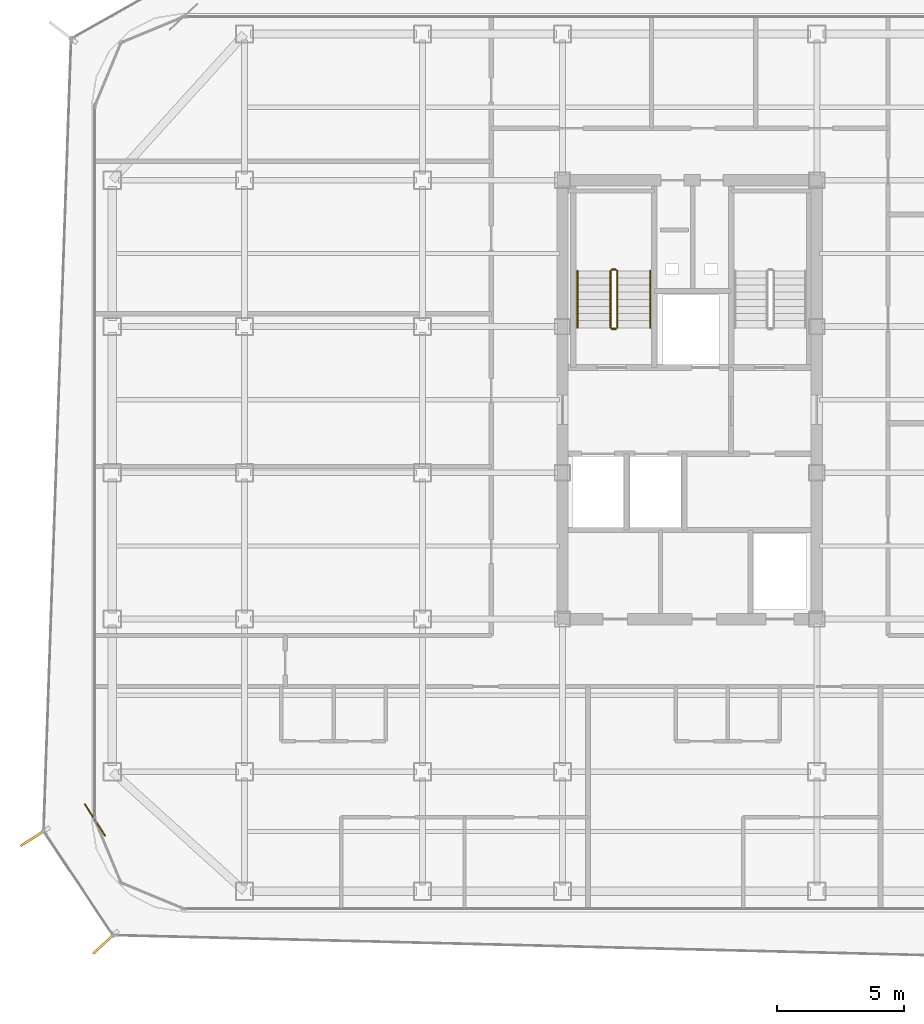
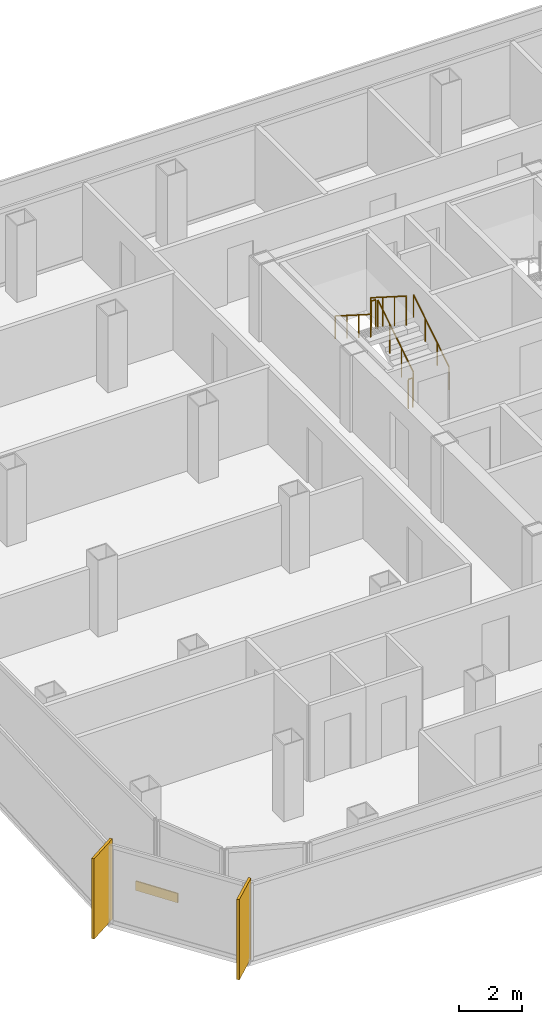
# One storey, part 13 of 15: 6 railings, 2 shading devices, 1 covering.
"""IFC4 building model written with IfcOpenShell, lengths in metres."""

from ifc_helpers import new_model, si_unit, direction, frame, origin, origin_2d, place, context, subcontext, project, spatial, rectangle, circle, extrude, source, transform, mapped, material, layer, layer_set, type_object, element, save


model = new_model("IFC4")

# Units and contexts
model_context = context("Model", 3, precision=1e-05, world=origin(), true_north=direction((0.0, 1.0)))
body_context = subcontext(model_context, "Body", "Model", "MODEL_VIEW")
ifc_project = project(units=[si_unit("LENGTHUNIT", "METRE"), si_unit("AREAUNIT", "SQUARE_METRE"), si_unit("VOLUMEUNIT", "CUBIC_METRE"), si_unit("PLANEANGLEUNIT", "RADIAN"), si_unit("MASSUNIT", "GRAM", prefix="KILO")], contexts=[model_context])

# Site, building, storey
site_placement = place(None, origin())
site = spatial("IfcSite", under=ifc_project, at=site_placement, CompositionType="ELEMENT")
building_placement = place(site_placement, origin())
building = spatial("IfcBuilding", under=site, at=building_placement, Name="Kolveth Station Tower", CompositionType="ELEMENT")
storey_placement = place(building_placement, frame((0.0, 0.0, 199.60009765625)))
storey = spatial("IfcBuildingStorey", under=building, at=storey_placement, Name="L56", CompositionType="ELEMENT", Elevation=199.60009765625)

# Railings
ifc_material_1 = material(Name="Painted Steel S355 balustrade", Category="steel")
railing_type_1 = type_object("IfcRailingType", Name="Guard_GR2", PredefinedType="BALUSTRADE", material=ifc_material_1)
railing_1_placement = place(storey_placement, frame((20.64990234375, 22.949951171875, 0.177734375)))
element("IfcRailing", 1, at=railing_1_placement, inside=storey, type_object=railing_type_1, Name="L56 ST1 stair guard 1", PredefinedType="BALUSTRADE", context=body_context, shape_type="SweptSolid", body=[
    extrude(circle(Radius=0.02392578125, at=origin_2d()), frame((0.0, 0.0, 1.1259765625), z_axis=(0.0, 0.8442293374, 0.53598211339), x_axis=(-1.0, 0.0, 0.0)), (0.0, 0.0, 1.0), 2.6533203125),
    extrude(circle(Radius=0.02099609375, at=origin_2d()), origin(), (0.0, 0.0, 1.0), 1.101806640625),
    extrude(circle(Radius=0.02099609375, at=origin_2d()), frame((0.0, 0.74658203125, 0.47412109375)), (0.0, 0.0, 1.0), 1.101806640625),
    extrude(circle(Radius=0.02099609375, at=origin_2d()), frame((0.0, 1.493408203125, 0.947998046875)), (0.0, 0.0, 1.0), 1.101806640625),
    extrude(circle(Radius=0.02099609375, at=origin_2d()), frame((0.0, 2.239990234375, 1.422119140625)), (0.0, 0.0, 1.0), 1.101806640625),
])
railing_2_placement = place(storey_placement, frame((20.60009765625, 25.239990234375, 1.599853515625)))
element("IfcRailing", 2, at=railing_2_placement, inside=storey, type_object=railing_type_1, Name="L56 ST1 stair guard 2", PredefinedType="BALUSTRADE", context=body_context, shape_type="SweptSolid", body=[
    extrude(circle(Radius=0.02392578125, at=origin_2d()), frame((0.0, 0.0, 1.1259765625), z_axis=(-1.0, 0.0, 0.0), x_axis=(0.0, -1.0, 0.0)), (0.0, 0.0, 1.0), 0.16015625),
    extrude(circle(Radius=0.02099609375, at=origin_2d()), origin(), (0.0, 0.0, 1.0), 1.101806640625),
    extrude(circle(Radius=0.02099609375, at=origin_2d()), frame((-0.16015625, 0.0, 0.0)), (0.0, 0.0, 1.0), 1.101806640625),
])
railing_3_placement = place(storey_placement, frame((20.389892578125, 25.18994140625, 1.777587890625)))
element("IfcRailing", 3, at=railing_3_placement, inside=storey, type_object=railing_type_1, Name="L56 ST1 stair guard 3", PredefinedType="BALUSTRADE", context=body_context, shape_type="SweptSolid", body=[
    extrude(circle(Radius=0.02392578125, at=origin_2d()), frame((0.0, 0.0, 1.1259765625), z_axis=(0.0, -0.84418770128, 0.536047689118), x_axis=(1.0, 0.0, 0.0)), (0.0, 0.0, 1.0), 2.6533203125),
    extrude(circle(Radius=0.02099609375, at=origin_2d()), origin(), (0.0, 0.0, 1.0), 1.101806640625),
    extrude(circle(Radius=0.02099609375, at=origin_2d()), frame((0.0, -0.74658203125, 0.47412109375)), (0.0, 0.0, 1.0), 1.101806640625),
    extrude(circle(Radius=0.02099609375, at=origin_2d()), frame((0.0, -1.493408203125, 0.9482421875)), (0.0, 0.0, 1.0), 1.101806640625),
    extrude(circle(Radius=0.02099609375, at=origin_2d()), frame((0.0, -2.239990234375, 1.42236328125)), (0.0, 0.0, 1.0), 1.101806640625),
])
railing_4_placement = place(storey_placement, frame((20.60009765625, 22.89990234375, 0.0)))
element("IfcRailing", 4, at=railing_4_placement, inside=storey, type_object=railing_type_1, Name="L56 ST1 stair guard 4", PredefinedType="BALUSTRADE", context=body_context, shape_type="SweptSolid", body=[
    extrude(circle(Radius=0.02392578125, at=origin_2d()), frame((0.0, 0.0, 1.1259765625), z_axis=(-1.0, 0.0, 0.0), x_axis=(0.0, -1.0, 0.0)), (0.0, 0.0, 1.0), 0.16015625),
    extrude(circle(Radius=0.02099609375, at=origin_2d()), origin(), (0.0, 0.0, 1.0), 1.101806640625),
    extrude(circle(Radius=0.02099609375, at=origin_2d()), frame((-0.16015625, 0.0, 0.0)), (0.0, 0.0, 1.0), 1.101806640625),
])
ifc_material_2 = material(Name="Brushed stainless steel", Category="steel")
railing_type_2 = type_object("IfcRailingType", Name="Handrail_HR1", PredefinedType="HANDRAIL", material=ifc_material_2)
railing_5_placement = place(storey_placement, frame((21.949951171875, 22.949951171875, 0.177734375)))
element("IfcRailing", 5, at=railing_5_placement, inside=storey, type_object=railing_type_2, Name="L56 ST1 stair handrail 1", PredefinedType="HANDRAIL", context=body_context, shape_type="SweptSolid", body=[
    extrude(circle(Radius=0.02392578125, at=origin_2d()), frame((0.0, 0.0, 0.8759765625), z_axis=(0.0, 0.8442293374, 0.53598211339), x_axis=(-1.0, 0.0, 0.0)), (0.0, 0.0, 1.0), 2.6533203125),
    extrude(circle(Radius=0.02099609375, at=origin_2d()), origin(), (0.0, 0.0, 1.0), 0.851806640625),
    extrude(circle(Radius=0.02099609375, at=origin_2d()), frame((0.0, 0.74658203125, 0.47412109375)), (0.0, 0.0, 1.0), 0.851806640625),
    extrude(circle(Radius=0.02099609375, at=origin_2d()), frame((0.0, 1.493408203125, 0.947998046875)), (0.0, 0.0, 1.0), 0.851806640625),
    extrude(circle(Radius=0.02099609375, at=origin_2d()), frame((0.0, 2.239990234375, 1.422119140625)), (0.0, 0.0, 1.0), 0.851806640625),
])
railing_6_placement = place(storey_placement, frame((19.090087890625, 25.18994140625, 1.777587890625)))
element("IfcRailing", 6, at=railing_6_placement, inside=storey, type_object=railing_type_2, Name="L56 ST1 stair handrail 2", PredefinedType="HANDRAIL", context=body_context, shape_type="SweptSolid", body=[
    extrude(circle(Radius=0.02392578125, at=origin_2d()), frame((0.0, 0.0, 0.8759765625), z_axis=(0.0, -0.84418770128, 0.536047689118), x_axis=(1.0, 0.0, 0.0)), (0.0, 0.0, 1.0), 2.6533203125),
    extrude(circle(Radius=0.02099609375, at=origin_2d()), origin(), (0.0, 0.0, 1.0), 0.851806640625),
    extrude(circle(Radius=0.02099609375, at=origin_2d()), frame((0.0, -0.74658203125, 0.47412109375)), (0.0, 0.0, 1.0), 0.851806640625),
    extrude(circle(Radius=0.02099609375, at=origin_2d()), frame((0.0, -1.493408203125, 0.9482421875)), (0.0, 0.0, 1.0), 0.851806640625),
    extrude(circle(Radius=0.02099609375, at=origin_2d()), frame((0.0, -2.239990234375, 1.42236328125)), (0.0, 0.0, 1.0), 0.851806640625),
])

# Shading devices
ifc_material_3 = material(Name="Black anodized aluminium 6063-T6", Category="aluminium")
shading_device_type = type_object("IfcShadingDeviceType", Name="FIN_VF1", PredefinedType="USERDEFINED", material=ifc_material_3)
shared_shape_1 = source(origin(), body_context, "Body", "SweptSolid", [
    extrude(rectangle(XDim=1.25, YDim=0.090087890625, at=origin_2d()), origin(), (0.0, 0.0, 1.0), 3.10009765625),
])
for number, where, z_axis, x_axis, name in (
    (7, (-2.27587890625, 2.91796875, -0.000244140625), (0.0, 0.0, 1.0), (-0.843953642103, -0.536416116444, 0.0), "L56 Dark-Aluminium Solar Fin 7"),
    (8, (0.5, -1.237060546875, -0.000244140625), (0.0, 0.0, 1.0), (-0.733848438205, -0.679313233894, 0.0), "L56 Dark-Aluminium Solar Fin 8"),
):
    element("IfcShadingDevice", number, at=place(storey_placement, frame(where, z_axis=z_axis, x_axis=x_axis)), inside=storey, type_object=shading_device_type, Name=name, ObjectType="FIN", PredefinedType="USERDEFINED", context=body_context, shape_type="MappedRepresentation", body=[
        mapped(shared_shape_1, transform((0.0, 0.0, 0.0), x_axis=(1.0, 0.0, 0.0), y_axis=(0.0, 1.0, 0.0), z_axis=(0.0, 0.0, 1.0), scale=1.0)),
    ])

# Covering
ifc_material_4 = material(Name="Charcoal anodized aluminium spandrel cladding", Category="aluminium")
ifc_layer = layer(ifc_material_4, 0.044921875)
ifc_layer_set = layer_set([ifc_layer], Name="Charcoal anodized aluminium spandrel cladding")
covering_type = type_object("IfcCoveringType", Name="Clad_CD1", PredefinedType="CLADDING", material=ifc_layer_set)
shared_shape_2 = source(origin(), body_context, "Body", "SweptSolid", [
    extrude(rectangle(XDim=1.5, YDim=0.044921875, at=origin_2d()), origin(), (0.0, 0.0, 1.0), 0.360107421875),
])
covering_placement = place(storey_placement, frame((0.1201171875, 3.60009765625, 0.0), z_axis=(0.0, 0.0, 1.0), x_axis=(0.536416116444, -0.843953642103, 0.0)))
element("IfcCovering", 9, at=covering_placement, inside=storey, type_object=covering_type, Name="L56 Spandrel Edge Cladding 7", PredefinedType="CLADDING", context=body_context, shape_type="MappedRepresentation", body=[
    mapped(shared_shape_2, transform((0.0, 0.0, 0.0), x_axis=(1.0, 0.0, 0.0), y_axis=(0.0, 1.0, 0.0), z_axis=(0.0, 0.0, 1.0), scale=1.0)),
])

save(model, "model.ifc")
